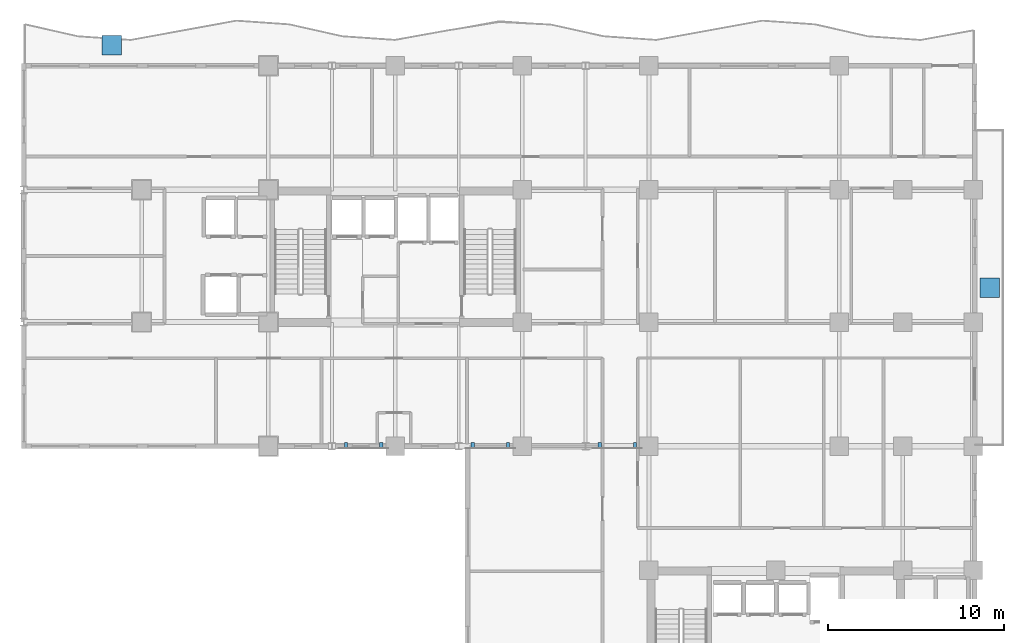
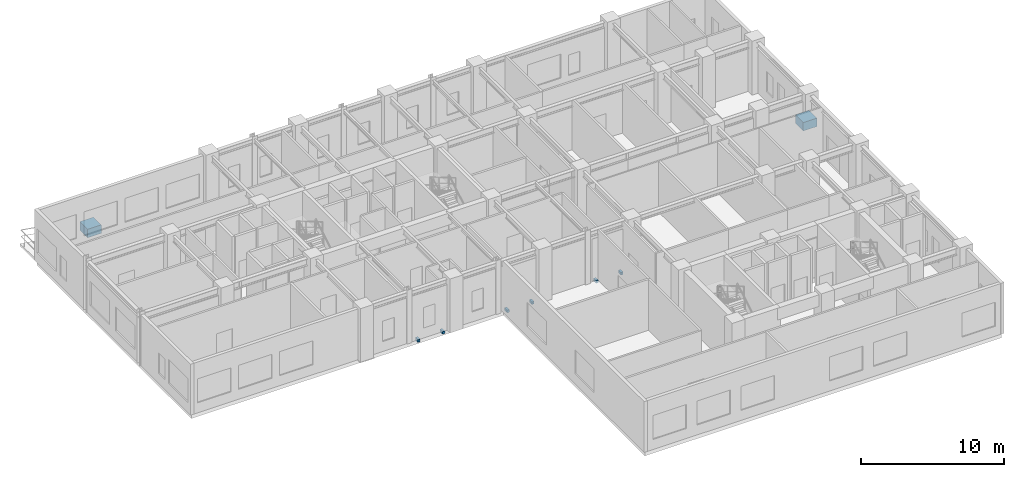
# One storey, part 10 of 14: 8 discrete accessories.
"""IFC4 building model written with IfcOpenShell, lengths in metres."""

from ifc_helpers import new_model, si_unit, direction, frame, origin, origin_2d, place, context, subcontext, project, spatial, rectangle, extrude, source, transform, mapped, material, type_object, element, save


model = new_model("IFC4")

# Units and contexts
model_context = context("Model", 3, precision=1e-05, world=origin(), true_north=direction((0.0, 1.0)))
body_context = subcontext(model_context, "Body", "Model", "MODEL_VIEW")
ifc_project = project(units=[si_unit("LENGTHUNIT", "METRE"), si_unit("AREAUNIT", "SQUARE_METRE"), si_unit("VOLUMEUNIT", "CUBIC_METRE"), si_unit("PLANEANGLEUNIT", "RADIAN"), si_unit("MASSUNIT", "GRAM", prefix="KILO")], contexts=[model_context])

# Site, building, storey
site_placement = place(None, origin())
site = spatial("IfcSite", under=ifc_project, at=site_placement, CompositionType="ELEMENT")
building_placement = place(site_placement, origin())
building = spatial("IfcBuilding", under=site, at=building_placement, Name="Kaliganga Portal Commons", CompositionType="ELEMENT")
storey_placement = place(building_placement, frame((0.0, 0.0, 135.60009765625)))
storey = spatial("IfcBuildingStorey", under=building, at=storey_placement, Name="L34", CompositionType="ELEMENT", Elevation=135.60009765625)

# Discrete accessories
ifc_material_1 = material(Name="Precast concrete C40/50", Category="concrete")
discrete_accessory_type_1 = type_object("IfcDiscreteAccessoryType", Name="DAC-PLANTER-RC", PredefinedType="USERDEFINED", material=ifc_material_1)
shared_shape_1 = source(origin(), body_context, "Body", "SweptSolid", [
    extrude(rectangle(XDim=1.10009765625, YDim=1.10009765625, at=origin_2d()), origin(), (0.0, 0.0, 1.0), 0.719970703125),
])
for number, where, z_axis, x_axis, name in (
    (1, (5.5, 44.35009765625, 0.0), (0.0, 0.0, 1.0), (1.0, 0.0, 0.0), "Structural Tree Planter L34 balc_north"),
    (2, (55.35009765625, 30.60009765625, 0.0), (0.0, 0.0, 1.0), (1.0, 0.0, 0.0), "Sky-Garden Tree Planter L34 skygarden_l34"),
):
    element("IfcDiscreteAccessory", number, at=place(storey_placement, frame(where, z_axis=z_axis, x_axis=x_axis)), inside=storey, type_object=discrete_accessory_type_1, Name=name, ObjectType="PLANTER", PredefinedType="USERDEFINED", context=body_context, shape_type="MappedRepresentation", body=[
        mapped(shared_shape_1, transform((0.0, 0.0, 0.0), x_axis=(1.0, 0.0, 0.0), y_axis=(0.0, 1.0, 0.0), z_axis=(0.0, 0.0, 1.0), scale=1.0)),
    ])
ifc_material_2 = material(Name="Structural steel S355J2", Category="steel")
discrete_accessory_type_2 = type_object("IfcDiscreteAccessoryType", Name="DAC-BRK-SCR", PredefinedType="BRACKET", material=ifc_material_2)
shared_shape_2 = source(origin(), body_context, "Body", "SweptSolid", [
    extrude(rectangle(XDim=0.179931640625, YDim=0.360107421875, at=origin_2d()), origin(), (0.0, 0.0, 1.0), 0.219970703125),
])
for number, where, z_axis, x_axis, name in (
    (3, (18.800048828125, 21.6201171875, -0.18994140625), (0.0, 0.0, 1.0), (1.0, 0.0, 0.0), "Solar Screen Outrigger Bracket L34-S1-1"),
    (4, (20.800048828125, 21.6201171875, -0.18994140625), (0.0, 0.0, 1.0), (1.0, 0.0, 0.0), "Solar Screen Outrigger Bracket L34-S1-2"),
    (5, (26.0, 21.6201171875, -0.18994140625), (0.0, 0.0, 1.0), (1.0, 0.0, 0.0), "Solar Screen Outrigger Bracket L34-S2-1"),
    (6, (28.0, 21.6201171875, -0.18994140625), (0.0, 0.0, 1.0), (1.0, 0.0, 0.0), "Solar Screen Outrigger Bracket L34-S2-2"),
    (7, (33.199951171875, 21.6201171875, -0.18994140625), (0.0, 0.0, 1.0), (1.0, 0.0, 0.0), "Solar Screen Outrigger Bracket L34-S3-1"),
    (8, (35.199951171875, 21.6201171875, -0.18994140625), (0.0, 0.0, 1.0), (1.0, 0.0, 0.0), "Solar Screen Outrigger Bracket L34-S3-2"),
):
    element("IfcDiscreteAccessory", number, at=place(storey_placement, frame(where, z_axis=z_axis, x_axis=x_axis)), inside=storey, type_object=discrete_accessory_type_2, Name=name, PredefinedType="BRACKET", context=body_context, shape_type="MappedRepresentation", body=[
        mapped(shared_shape_2, transform((0.0, 0.0, 0.0), x_axis=(1.0, 0.0, 0.0), y_axis=(0.0, 1.0, 0.0), z_axis=(0.0, 0.0, 1.0), scale=1.0)),
    ])

save(model, "model.ifc")
